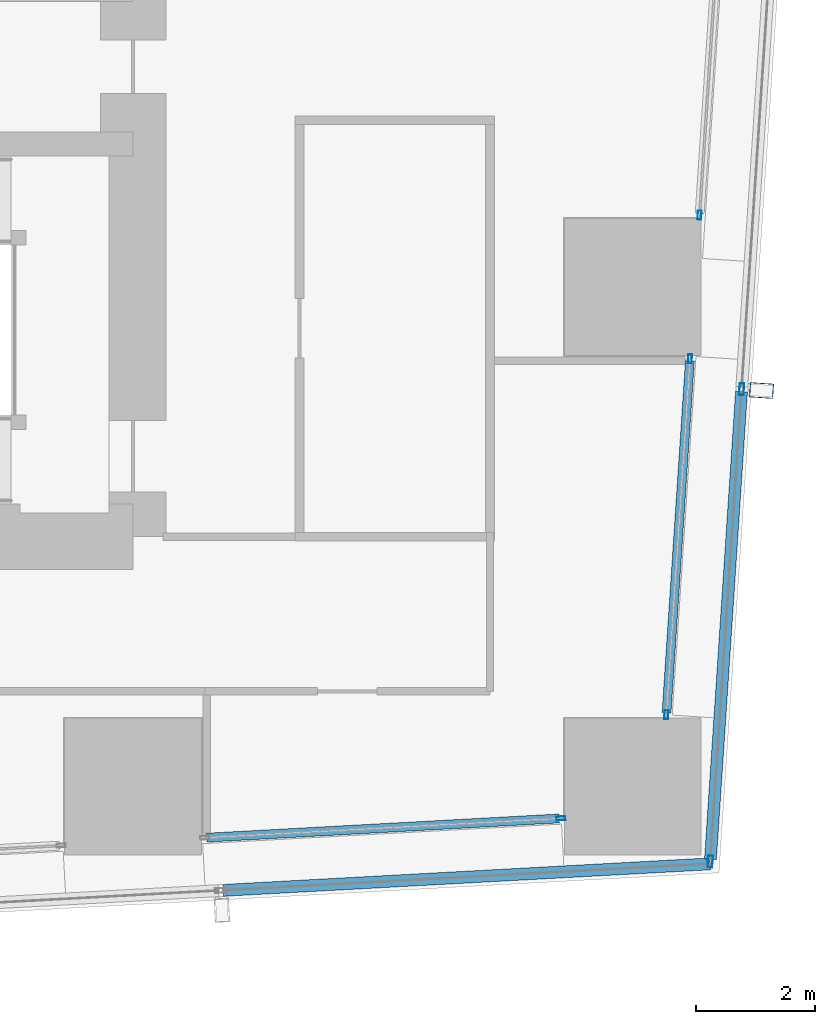
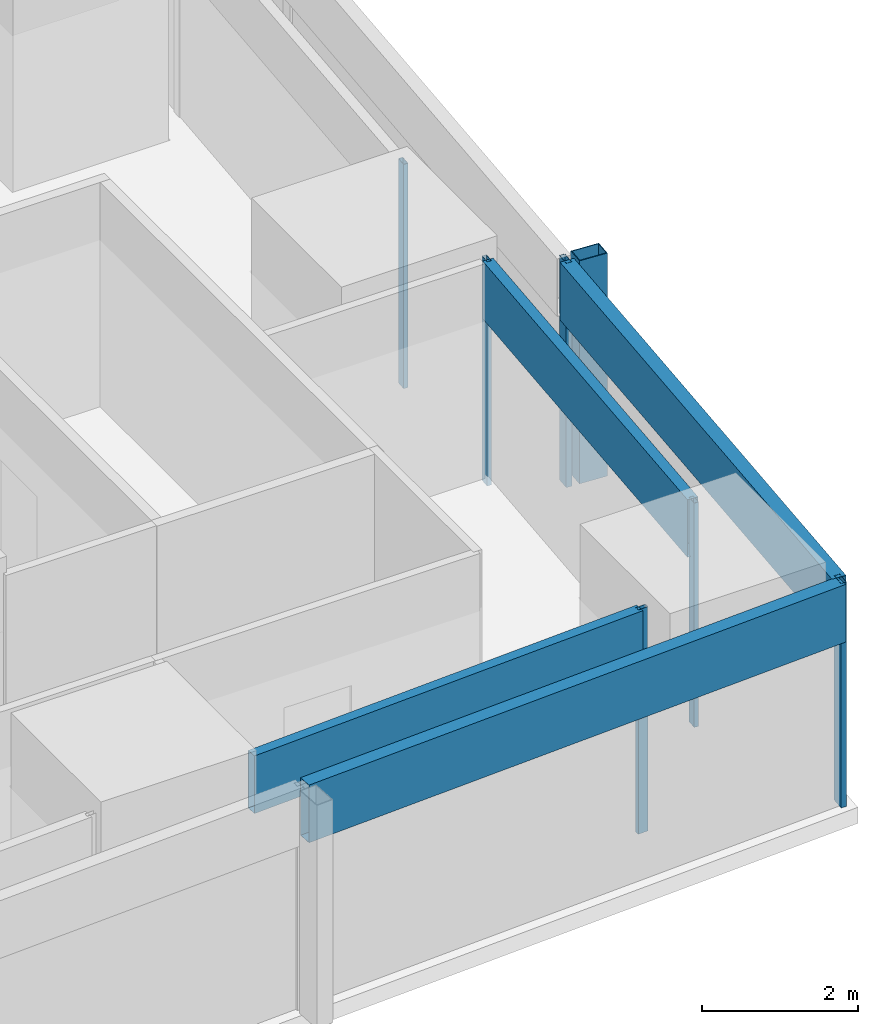
# One storey, part 10 of 32: 11 members, 5 elements without a shape of their own.
"""IFC4 building model written with IfcOpenShell, lengths in metres."""

from ifc_helpers import new_model, si_unit, direction, frame, origin, origin_2d, place, context, subcontext, project, spatial, hollow_rectangle, extrude, material, material_profile, profile_set, type_object, element, aggregate, save


model = new_model("IFC4")

# Units and contexts
model_context = context("Model", 3, precision=1e-05, world=origin(), true_north=direction((0.0, 1.0)))
body_context = subcontext(model_context, "Body", "Model", "MODEL_VIEW")
ifc_project = project(units=[si_unit("LENGTHUNIT", "METRE"), si_unit("AREAUNIT", "SQUARE_METRE"), si_unit("VOLUMEUNIT", "CUBIC_METRE"), si_unit("PLANEANGLEUNIT", "RADIAN"), si_unit("MASSUNIT", "GRAM", prefix="KILO")], contexts=[model_context])

# Site, building, storey
site_placement = place(None, origin())
site = spatial("IfcSite", under=ifc_project, at=site_placement, CompositionType="ELEMENT")
building_placement = place(site_placement, origin())
building = spatial("IfcBuilding", under=site, at=building_placement, Name="Rekha Terrace Tower", CompositionType="ELEMENT")
storey_placement = place(building_placement, frame((0.0, 0.0, 250.10009765625)))
storey = spatial("IfcBuildingStorey", under=building, at=storey_placement, Name="L63", CompositionType="ELEMENT", Elevation=250.10009765625)

# Curtain wall, member
ifc_material_1 = material(Name="Aluminium framing", Category="aluminium")
curtain_wall_type_1 = type_object("IfcCurtainWallType", Name="CW2 double skin outer glazing", PredefinedType="USERDEFINED", material=ifc_material_1)
curtain_wall_1_placement = place(storey_placement, origin())
curtain_wall_1 = element("IfcCurtainWall", 1, at=curtain_wall_1_placement, inside=storey, type_object=curtain_wall_type_1, Name="CW2 double skin outer glazing", ObjectType="DOUBLE SKIN OUTER GLAZING", PredefinedType="USERDEFINED")
ifc_material_2 = material(Name="Steel S355 with fluorocarbon finish", Category="steel")
ifc_material_profile_1 = material_profile(ifc_material_2, hollow_rectangle(XDim=0.25, YDim=0.39990234375, WallThickness=0.012451171875, at=origin_2d()), Name="RHS400x250x12.5")
ifc_profile_set_1 = profile_set([ifc_material_profile_1], Name="Steel S355 with fluorocarbon finish")
member_type_1 = type_object("IfcMemberType", Name="BL1 facade blade RHS 400 x 250", PredefinedType="USERDEFINED", material=ifc_profile_set_1)
member_1_placement = place(storey_placement, frame((60.9638671875, 23.45751953125, 0.02001953125), z_axis=(0.0, 0.0, 1.0), x_axis=(0.066272158908, 0.99780158396, 0.0)))
member_1 = element("IfcMember", 2, at=member_1_placement, type_object=member_type_1, Name="Facade blade", ObjectType="FACADE BLADE", PredefinedType="USERDEFINED", context=body_context, shape_type="SweptSolid", body=[
    extrude(hollow_rectangle(XDim=0.25, YDim=0.39990234375, WallThickness=0.012451171875, at=origin_2d()), origin(), (0.0, 0.0, 1.0), 3.47998046875),
])

curtain_wall_type_2 = type_object("IfcCurtainWallType", Name="CW1 double skin inner glazing", PredefinedType="USERDEFINED", material=ifc_material_1)
curtain_wall_2_placement = place(storey_placement, origin())
curtain_wall_2 = element("IfcCurtainWall", 3, at=curtain_wall_2_placement, inside=storey, type_object=curtain_wall_type_2, Name="CW1 double skin inner glazing", ObjectType="DOUBLE SKIN INNER GLAZING", PredefinedType="USERDEFINED")
ifc_material_3 = material(Name="Aluminium mullion section", Category="aluminium")
ifc_material_profile_2 = material_profile(ifc_material_3, hollow_rectangle(XDim=0.06494140625, YDim=0.14990234375, WallThickness=0.00390625, at=origin_2d()), Name="AL RHS 65x150")
ifc_profile_set_2 = profile_set([ifc_material_profile_2], Name="Aluminium mullion section")
member_type_2 = type_object("IfcMemberType", Name="CW1 mullion RHS 65 x 150", PredefinedType="MULLION", material=ifc_profile_set_2)
member_2_placement = place(storey_placement, frame((57.592529296875, 16.266845703125, 0.0), z_axis=(0.0, 0.0, 1.0), x_axis=(-0.054388903158, 0.998519828152, 0.0)))
member_2 = element("IfcMember", 4, at=member_2_placement, type_object=member_type_2, Name="CW1 mullion 2", PredefinedType="MULLION", context=body_context, shape_type="SweptSolid", body=[
    extrude(hollow_rectangle(XDim=0.06494140625, YDim=0.14990234375, WallThickness=0.00390625, at=origin_2d()), origin(), (0.0, 0.0, 1.0), 3.5),
])

# Curtain wall, members
curtain_wall_3_placement = place(storey_placement, origin())
curtain_wall_3 = element("IfcCurtainWall", 5, at=curtain_wall_3_placement, inside=storey, type_object=curtain_wall_type_2, Name="CW1 double skin inner glazing", ObjectType="DOUBLE SKIN INNER GLAZING", PredefinedType="USERDEFINED")
member_3_placement = place(storey_placement, frame((59.3642578125, 18.0087890625, 0.0), z_axis=(0.0, 0.0, 1.0), x_axis=(-0.997801621764, 0.066271589736, 0.0)))
member_3 = element("IfcMember", 6, at=member_3_placement, type_object=member_type_2, Name="CW1 mullion 1", PredefinedType="MULLION", context=body_context, shape_type="SweptSolid", body=[
    extrude(hollow_rectangle(XDim=0.06494140625, YDim=0.14990234375, WallThickness=0.00390625, at=origin_2d()), origin(), (0.0, 0.0, 1.0), 3.5),
])
member_4_placement = place(storey_placement, frame((59.76171875, 23.9912109375, 0.0), z_axis=(0.0, 0.0, 1.0), x_axis=(-0.997801621764, 0.066271589736, 0.0)))
member_4 = element("IfcMember", 7, at=member_4_placement, type_object=member_type_2, Name="CW1 mullion 2", PredefinedType="MULLION", context=body_context, shape_type="SweptSolid", body=[
    extrude(hollow_rectangle(XDim=0.06494140625, YDim=0.14990234375, WallThickness=0.00390625, at=origin_2d()), origin(), (0.0, 0.0, 1.0), 3.5),
])

# Curtain wall, member
curtain_wall_4_placement = place(storey_placement, origin())
curtain_wall_4 = element("IfcCurtainWall", 8, at=curtain_wall_4_placement, inside=storey, type_object=curtain_wall_type_2, Name="CW1 double skin inner glazing", ObjectType="DOUBLE SKIN INNER GLAZING", PredefinedType="USERDEFINED")
member_5_placement = place(storey_placement, frame((59.921875, 26.404541015625, 0.0), z_axis=(0.0, 0.0, 1.0), x_axis=(-0.997801621773, 0.066271589597, 0.0)))
member_5 = element("IfcMember", 9, at=member_5_placement, type_object=member_type_2, Name="CW1 mullion 1", PredefinedType="MULLION", context=body_context, shape_type="SweptSolid", body=[
    extrude(hollow_rectangle(XDim=0.06494140625, YDim=0.14990234375, WallThickness=0.00390625, at=origin_2d()), origin(), (0.0, 0.0, 1.0), 3.5),
])
aggregate(curtain_wall_4, [member_5])

# Member
ifc_material_4 = material(Name="Insulated aluminium spandrel box", Category="aluminium")
ifc_material_profile_3 = material_profile(ifc_material_4, hollow_rectangle(XDim=0.14990234375, YDim=0.89990234375, WallThickness=0.0029296875, at=origin_2d()), Name="AL SPANDREL BOX 150x900")
ifc_profile_set_3 = profile_set([ifc_material_profile_3], Name="Insulated aluminium spandrel box")
member_type_3 = type_object("IfcMemberType", Name="CW1 spandrel transom 150 x 900", PredefinedType="USERDEFINED", material=ifc_profile_set_3)
member_6_placement = place(storey_placement, frame((51.64013671875, 15.942626953125, 3.0498046875), z_axis=(0.998519329621, 0.054398054868, 0.0), x_axis=(-0.054398054868, 0.998519329621, 0.0)))
member_6 = element("IfcMember", 10, at=member_6_placement, type_object=member_type_3, Name="CW1 spandrel transom 1", ObjectType="TRANSOM", PredefinedType="USERDEFINED", context=body_context, shape_type="SweptSolid", body=[
    extrude(hollow_rectangle(XDim=0.14990234375, YDim=0.89990234375, WallThickness=0.0029296875, at=origin_2d()), origin(), (0.0, 0.0, 1.0), 5.9287109375),
])

aggregate(curtain_wall_2, [member_2, member_6])

member_7_placement = place(storey_placement, frame((59.366455078125, 18.041015625, 3.0498046875), z_axis=(0.066273120764, 0.997801520075, 0.0), x_axis=(-0.997801520075, 0.066273120764, 0.0)))
member_7 = element("IfcMember", 11, at=member_7_placement, type_object=member_type_3, Name="CW1 spandrel transom 1", ObjectType="TRANSOM", PredefinedType="USERDEFINED", context=body_context, shape_type="SweptSolid", body=[
    extrude(hollow_rectangle(XDim=0.14990234375, YDim=0.89990234375, WallThickness=0.0029296875, at=origin_2d()), origin(), (0.0, 0.0, 1.0), 5.930908203125),
])

aggregate(curtain_wall_3, [member_3, member_4, member_7])

ifc_material_profile_4 = material_profile(ifc_material_3, hollow_rectangle(XDim=0.080078125, YDim=0.199951171875, WallThickness=0.00390625, at=origin_2d()), Name="AL RHS 80x200")
ifc_profile_set_4 = profile_set([ifc_material_profile_4], Name="Aluminium mullion section")
member_type_4 = type_object("IfcMemberType", Name="CW2 mullion RHS 80 x 200", PredefinedType="MULLION", material=ifc_profile_set_4)
member_8_placement = place(storey_placement, frame((60.102294921875, 15.5419921875, 0.0), z_axis=(0.0, 0.0, 1.0), x_axis=(-0.997801621769, 0.066271589649, 0.0)))
member_8 = element("IfcMember", 12, at=member_8_placement, type_object=member_type_4, Name="CW2 mullion 1", PredefinedType="MULLION", context=body_context, shape_type="SweptSolid", body=[
    extrude(hollow_rectangle(XDim=0.080078125, YDim=0.199951171875, WallThickness=0.00390625, at=origin_2d()), origin(), (0.0, 0.0, 1.0), 3.5),
])

member_9_placement = place(storey_placement, frame((60.629638671875, 23.479736328125, 0.0), z_axis=(0.0, 0.0, 1.0), x_axis=(-0.997801621769, 0.066271589649, 0.0)))
member_9 = element("IfcMember", 13, at=member_9_placement, type_object=member_type_4, Name="CW2 mullion 2", PredefinedType="MULLION", context=body_context, shape_type="SweptSolid", body=[
    extrude(hollow_rectangle(XDim=0.080078125, YDim=0.199951171875, WallThickness=0.00390625, at=origin_2d()), origin(), (0.0, 0.0, 1.0), 3.5),
])

# Curtain wall, member
curtain_wall_5_placement = place(storey_placement, origin())
curtain_wall_5 = element("IfcCurtainWall", 14, at=curtain_wall_5_placement, inside=storey, type_object=curtain_wall_type_1, Name="CW2 double skin outer glazing", ObjectType="DOUBLE SKIN OUTER GLAZING", PredefinedType="USERDEFINED")
ifc_material_profile_5 = material_profile(ifc_material_4, hollow_rectangle(XDim=0.199951171875, YDim=0.89990234375, WallThickness=0.0029296875, at=origin_2d()), Name="AL SPANDREL BOX 200x900")
ifc_profile_set_5 = profile_set([ifc_material_profile_5], Name="Insulated aluminium spandrel box")
member_type_5 = type_object("IfcMemberType", Name="CW2 spandrel transom 200 x 900", PredefinedType="USERDEFINED", material=ifc_profile_set_5)
member_10_placement = place(storey_placement, frame((51.91650390625, 15.056396484375, 3.0498046875), z_axis=(0.998521064062, 0.054366208476, 0.0), x_axis=(-0.054366208476, 0.998521064062, 0.0)))
member_10 = element("IfcMember", 15, at=member_10_placement, type_object=member_type_5, Name="CW2 spandrel transom 4", ObjectType="TRANSOM", PredefinedType="USERDEFINED", context=body_context, shape_type="SweptSolid", body=[
    extrude(hollow_rectangle(XDim=0.199951171875, YDim=0.89990234375, WallThickness=0.0029296875, at=origin_2d()), origin(), (0.0, 0.0, 1.0), 8.195556640625),
])
aggregate(curtain_wall_5, [member_10])

# Member
member_11_placement = place(storey_placement, frame((60.10498046875, 15.581787109375, 3.0498046875), z_axis=(0.066280327672, 0.997801041372, 0.0), x_axis=(-0.997801041372, 0.066280327672, 0.0)))
member_11 = element("IfcMember", 16, at=member_11_placement, type_object=member_type_5, Name="CW2 spandrel transom 1", ObjectType="TRANSOM", PredefinedType="USERDEFINED", context=body_context, shape_type="SweptSolid", body=[
    extrude(hollow_rectangle(XDim=0.199951171875, YDim=0.89990234375, WallThickness=0.0029296875, at=origin_2d()), origin(), (0.0, 0.0, 1.0), 7.875244140625),
])

aggregate(curtain_wall_1, [member_8, member_9, member_11, member_1])

save(model, "model.ifc")
